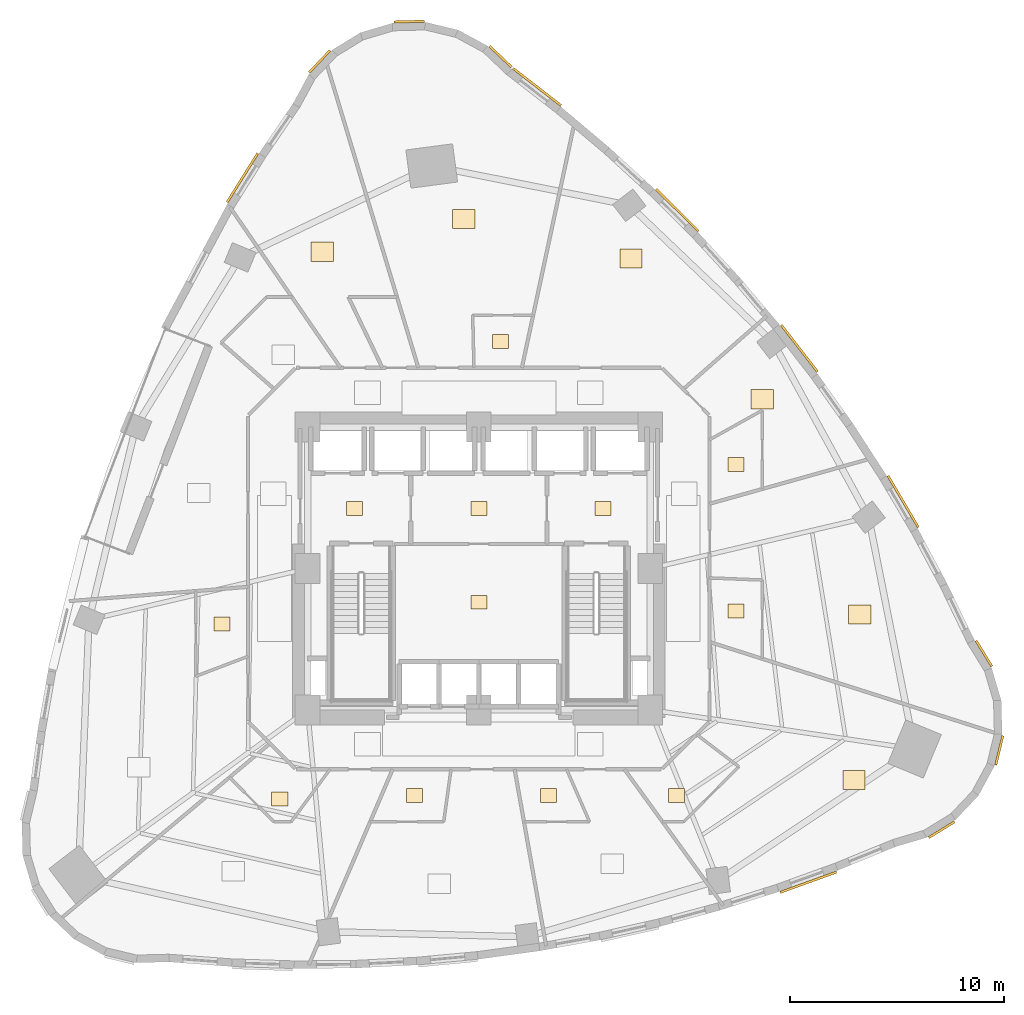
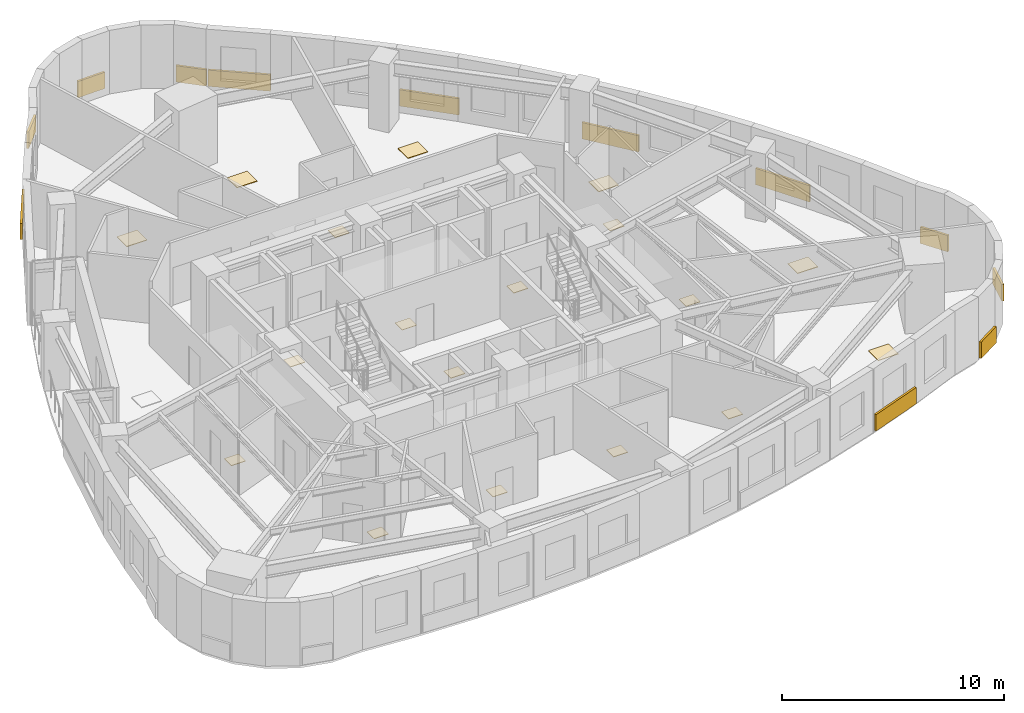
# One storey, part 12 of 12: 30 coverings.
"""IFC4 building model written with IfcOpenShell, lengths in metres."""

from ifc_helpers import new_model, si_unit, direction, frame, origin, origin_2d, place, context, subcontext, project, spatial, rectangle, extrude, material, layer, layer_set, type_object, element, save


model = new_model("IFC4")

# Units and contexts
model_context = context("Model", 3, precision=1e-05, world=origin(), true_north=direction((0.0, 1.0)))
body_context = subcontext(model_context, "Body", "Model", "MODEL_VIEW")
ifc_project = project(units=[si_unit("LENGTHUNIT", "METRE"), si_unit("AREAUNIT", "SQUARE_METRE"), si_unit("VOLUMEUNIT", "CUBIC_METRE"), si_unit("PLANEANGLEUNIT", "RADIAN"), si_unit("MASSUNIT", "GRAM", prefix="KILO")], contexts=[model_context])

# Site, building, storey
site_placement = place(None, origin())
site = spatial("IfcSite", under=ifc_project, at=site_placement, CompositionType="ELEMENT")
building_placement = place(site_placement, origin())
building = spatial("IfcBuilding", under=site, at=building_placement, Name="Ndelora Gate Hotel", CompositionType="ELEMENT")
storey_placement = place(building_placement, frame((0.0, 0.0, 68.0)))
storey = spatial("IfcBuildingStorey", under=building, at=storey_placement, Name="L16", CompositionType="ELEMENT", Elevation=68.0)

# Coverings
ifc_material_1 = material(Name="Terracotta Fired Clay Brick Slip Cladding", Category="masonry")
ifc_layer_1 = layer(ifc_material_1, 0.110107421875)
ifc_layer_set_1 = layer_set([ifc_layer_1], Name="Terracotta Fired Clay Brick Slip Cladding")
covering_type_1 = type_object("IfcCoveringType", Name="COV-CLAD-BRK", PredefinedType="CLADDING", material=ifc_layer_set_1)
for number, where, z_axis, x_axis, name in (
    (1, (1.0205078125, 23.904541015625, 0.10009765625), (0.0, 0.0, 1.0), (-0.725374371012, 0.688354575694, 0.0), "L16 Rounded-Corner Brick Cladding Band 1"),
    (2, (-3.25537109375, 25.5458984375, 0.10009765625), (0.0, 0.0, 1.0), (0.999657324976, 0.026176948308, 0.0), "L16 Rounded-Corner Brick Cladding Band 4"),
    (3, (-7.439208984375, 23.682861328125, 0.10009765625), (0.0, 0.0, 1.0), (0.688354575694, 0.725374371012, 0.0), "L16 Rounded-Corner Brick Cladding Band 7"),
):
    element("IfcCovering", number, at=place(storey_placement, frame(where, z_axis=z_axis, x_axis=x_axis)), inside=storey, type_object=covering_type_1, Name=name, PredefinedType="CLADDING", context=body_context, shape_type="SweptSolid", body=[
        extrude(rectangle(XDim=1.4140625, YDim=0.110107421875, at=origin_2d()), origin(), (0.0, 0.0, 1.0), 0.89990234375),
    ])
covering_1_placement = place(storey_placement, frame((-11.041259765625, 18.250732421875, 0.10009765625), z_axis=(0.0, 0.0, 1.0), x_axis=(0.530363228518, 0.847770514843, 0.0)))
element("IfcCovering", 4, at=covering_1_placement, inside=storey, type_object=covering_type_1, Name="L16 Rounded-Corner Brick Cladding Band 10", PredefinedType="CLADDING", context=body_context, shape_type="SweptSolid", body=[
    extrude(rectangle(XDim=2.696044921875, YDim=0.110107421875, at=origin_2d()), origin(), (0.0, 0.0, 1.0), 0.89990234375),
])
covering_2_placement = place(storey_placement, frame((15.391357421875, -14.6533203125, 0.10009765625), z_axis=(0.0, 0.0, 1.0), x_axis=(0.940347520127, 0.340215433792, 0.0)))
element("IfcCovering", 5, at=covering_2_placement, inside=storey, type_object=covering_type_1, Name="L16 Rounded-Corner Brick Cladding Band 37", PredefinedType="CLADDING", context=body_context, shape_type="SweptSolid", body=[
    extrude(rectangle(XDim=2.81103515625, YDim=0.110107421875, at=origin_2d()), origin(), (0.0, 0.0, 1.0), 0.89990234375),
])
for number, where, z_axis, x_axis, name in (
    (6, (21.618896484375, -12.20068359375, 0.10009765625), (0.0, 0.0, 1.0), (0.852640164354, 0.522498564716, 0.0), "L16 Rounded-Corner Brick Cladding Band 40"),
    (7, (24.310791015625, -8.495361328125, 0.10009765625), (0.0, 0.0, 1.0), (0.233445363856, 0.972369920398, 0.0), "L16 Rounded-Corner Brick Cladding Band 43"),
    (8, (23.594482421875, -3.971923828125, 0.10009765625), (0.0, 0.0, 1.0), (-0.522498564716, 0.852640164354, 0.0), "L16 Rounded-Corner Brick Cladding Band 46"),
):
    element("IfcCovering", number, at=place(storey_placement, frame(where, z_axis=z_axis, x_axis=x_axis)), inside=storey, type_object=covering_type_1, Name=name, PredefinedType="CLADDING", context=body_context, shape_type="SweptSolid", body=[
        extrude(rectangle(XDim=1.4140625, YDim=0.110107421875, at=origin_2d()), origin(), (0.0, 0.0, 1.0), 0.89990234375),
    ])
covering_3_placement = place(storey_placement, frame((19.81884765625, 3.128662109375, 0.10009765625), z_axis=(0.0, 0.0, 1.0), x_axis=(-0.507387972573, 0.861717729473, 0.0)))
element("IfcCovering", 9, at=covering_3_placement, inside=storey, type_object=covering_type_1, Name="L16 Rounded-Corner Brick Cladding Band 49", PredefinedType="CLADDING", context=body_context, shape_type="SweptSolid", body=[
    extrude(rectangle(XDim=2.791015625, YDim=0.110107421875, at=origin_2d()), origin(), (0.0, 0.0, 1.0), 0.89990234375),
])
covering_4_placement = place(storey_placement, frame((14.974365234375, 10.2802734375, 0.10009765625), z_axis=(0.0, 0.0, 1.0), x_axis=(-0.612631200187, 0.790368909154, 0.0)))
element("IfcCovering", 10, at=covering_4_placement, inside=storey, type_object=covering_type_1, Name="L16 Rounded-Corner Brick Cladding Band 52", PredefinedType="CLADDING", context=body_context, shape_type="SweptSolid", body=[
    extrude(rectangle(XDim=2.760009765625, YDim=0.110107421875, at=origin_2d()), origin(), (0.0, 0.0, 1.0), 0.89990234375),
])
covering_5_placement = place(storey_placement, frame((9.27197265625, 16.7373046875, 0.10009765625), z_axis=(0.0, 0.0, 1.0), x_axis=(-0.708339837725, 0.705871570679, 0.0)))
element("IfcCovering", 11, at=covering_5_placement, inside=storey, type_object=covering_type_1, Name="L16 Rounded-Corner Brick Cladding Band 55", PredefinedType="CLADDING", context=body_context, shape_type="SweptSolid", body=[
    extrude(rectangle(XDim=2.77490234375, YDim=0.110107421875, at=origin_2d()), origin(), (0.0, 0.0, 1.0), 0.89990234375),
])
covering_6_placement = place(storey_placement, frame((2.712646484375, 22.499267578125, 0.10009765625), z_axis=(0.0, 0.0, 1.0), x_axis=(-0.790475821431, 0.612493245459, 0.0)))
element("IfcCovering", 12, at=covering_6_placement, inside=storey, type_object=covering_type_1, Name="L16 Rounded-Corner Brick Cladding Band 58", PredefinedType="CLADDING", context=body_context, shape_type="SweptSolid", body=[
    extrude(rectangle(XDim=2.8369140625, YDim=0.110107421875, at=origin_2d()), origin(), (0.0, 0.0, 1.0), 0.89990234375),
])
ifc_material_2 = material(Name="Engineered Highland Oak Parquet", Category="wood")
ifc_layer_2 = layer(ifc_material_2, 0.030029296875)
ifc_layer_set_2 = layer_set([ifc_layer_2], Name="Engineered Highland Oak Parquet")
covering_type_2 = type_object("IfcCoveringType", Name="COV-FLR-PARQ", PredefinedType="FLOORING", material=ifc_layer_set_2)
for number, where, z_axis, x_axis, name in (
    (13, (17.523681640625, -9.88330078125, 0.0), (0.0, 0.0, 1.0), (1.0, 0.0, 0.0), "L16 Deluxe King Junior Suite 1905 Oak Parquet Flooring"),
    (14, (17.798095703125, -2.143798828125, 0.0), (0.0, 0.0, 1.0), (1.0, 0.0, 0.0), "L16 Corner Diplomatic Suite 1906 Oak Parquet Flooring"),
    (15, (13.243896484375, 7.900146484375, 0.0), (0.0, 0.0, 1.0), (1.0, 0.0, 0.0), "L16 Twin Guest Room 1907 Oak Parquet Flooring"),
    (16, (7.107177734375, 14.476806640625, 0.0), (0.0, 0.0, 1.0), (1.0, 0.0, 0.0), "L16 Executive Meeting Room Oak Parquet Flooring"),
    (17, (-0.708984375, 16.326904296875, 0.0), (0.0, 0.0, 1.0), (1.0, 0.0, 0.0), "L16 Deluxe King Junior Suite 1908 Oak Parquet Flooring"),
    (18, (-7.3232421875, 14.798095703125, 0.0), (0.0, 0.0, 1.0), (1.0, 0.0, 0.0), "L16 Housekeeping and Linen Room Oak Parquet Flooring"),
):
    element("IfcCovering", number, at=place(storey_placement, frame(where, z_axis=z_axis, x_axis=x_axis)), inside=storey, type_object=covering_type_2, Name=name, PredefinedType="FLOORING", context=body_context, shape_type="SweptSolid", body=[
        extrude(rectangle(XDim=1.050048828125, YDim=0.89990234375, at=origin_2d()), origin(), (0.0, 0.0, 1.0), 0.030029296875),
    ])
ifc_material_3 = material(Name="Non-Slip Porcelain Wet-Room Tile", Category="ceramic")
ifc_layer_3 = layer(ifc_material_3, 0.02490234375)
ifc_layer_set_3 = layer_set([ifc_layer_3], Name="Non-Slip Porcelain Wet-Room Tile")
covering_type_3 = type_object("IfcCoveringType", Name="COV-FLR-TILE", PredefinedType="FLOORING", material=ifc_layer_set_3)
for number, where, z_axis, x_axis, name in (
    (19, (-5.800048828125, 2.800048828125, 0.0), (0.0, 0.0, 1.0), (1.0, 0.0, 0.0), "L16 Firefighting Lift Lobby West Porcelain Tile Flooring"),
    (20, (5.800048828125, 2.800048828125, 0.0), (0.0, 0.0, 1.0), (1.0, 0.0, 0.0), "L16 Firefighting Lift Lobby East Porcelain Tile Flooring"),
    (21, (0.0, 2.800048828125, 0.0), (0.0, 0.0, 1.0), (1.0, 0.0, 0.0), "L16 Central Passenger Lift Lobby Porcelain Tile Flooring"),
    (22, (0.0, -1.574951171875, 0.0), (0.0, 0.0, 1.0), (1.0, 0.0, 0.0), "L16 Core Electrical and Linen Service Store Porcelain Tile Flooring"),
    (23, (-12.0048828125, -2.58349609375, 0.0), (0.0, 0.0, 1.0), (1.0, 0.0, 0.0), "L16 En-suite Bathroom 1901 Porcelain Tile Flooring"),
    (24, (-9.2998046875, -10.772705078125, 0.0), (0.0, 0.0, 1.0), (1.0, 0.0, 0.0), "L16 En-suite Bathroom 1902 Porcelain Tile Flooring"),
    (25, (-3.00830078125, -10.60498046875, 0.0), (0.0, 0.0, 1.0), (1.0, 0.0, 0.0), "L16 En-suite Bathroom 1903 Porcelain Tile Flooring"),
    (26, (3.261962890625, -10.60498046875, 0.0), (0.0, 0.0, 1.0), (1.0, 0.0, 0.0), "L16 En-suite Bathroom 1904 Porcelain Tile Flooring"),
    (27, (9.23681640625, -10.60498046875, 0.0), (0.0, 0.0, 1.0), (1.0, 0.0, 0.0), "L16 En-suite Bathroom 1905 Porcelain Tile Flooring"),
    (28, (12.0048828125, -1.99072265625, 0.0), (0.0, 0.0, 1.0), (1.0, 0.0, 0.0), "L16 En-suite Bathroom 1906 Porcelain Tile Flooring"),
    (29, (12.0048828125, 4.866943359375, 0.0), (0.0, 0.0, 1.0), (1.0, 0.0, 0.0), "L16 En-suite Bathroom 1907 Porcelain Tile Flooring"),
    (30, (1.0087890625, 10.60498046875, 0.0), (0.0, 0.0, 1.0), (1.0, 0.0, 0.0), "L16 En-suite Bathroom 1908 Porcelain Tile Flooring"),
):
    element("IfcCovering", number, at=place(storey_placement, frame(where, z_axis=z_axis, x_axis=x_axis)), inside=storey, type_object=covering_type_3, Name=name, PredefinedType="FLOORING", context=body_context, shape_type="SweptSolid", body=[
        extrude(rectangle(XDim=0.75, YDim=0.64990234375, at=origin_2d()), origin(), (0.0, 0.0, 1.0), 0.02490234375),
    ])

save(model, "model.ifc")
